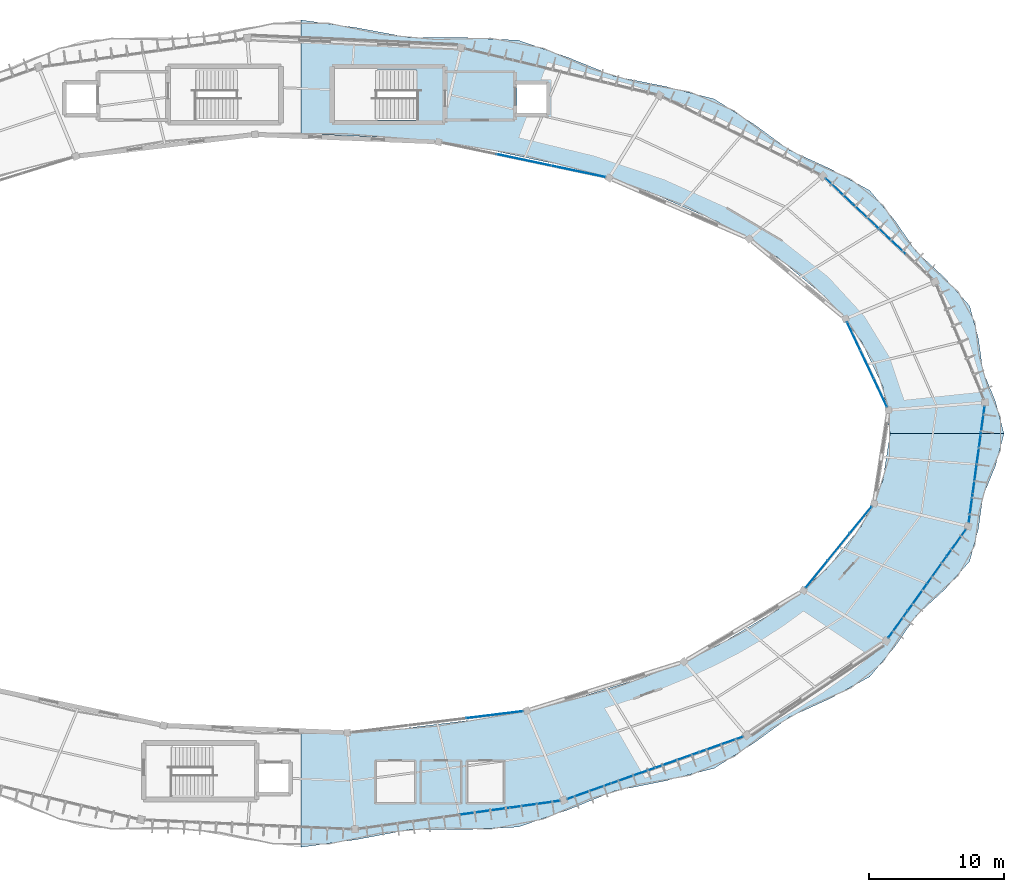
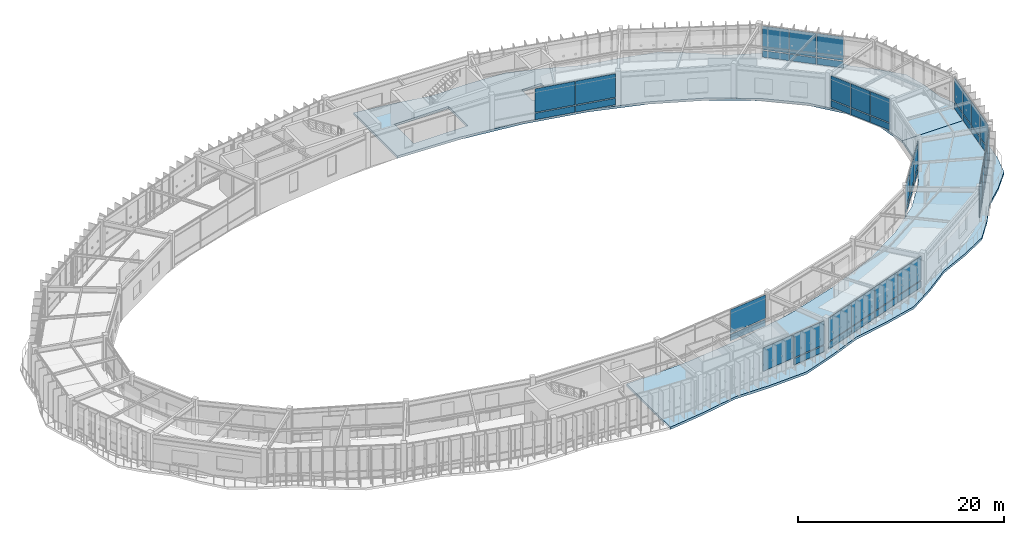
# One storey, part 65 of 79: 51 plates, 2 slabs, 9 elements without a shape of their own.
"""IFC4 building model written with IfcOpenShell, lengths in metres."""

import ifcopenshell
import ifcopenshell.guid

model = None  # the IFC model being written
_history = None  # IfcOwnerHistory: only IFC2X3 demands one
_inside = {}  # id of a spatial element -> (the spatial element, [elements in it])
_under = {}  # id of a project, library or spatial element -> (it, [spatial elements below it])
_declared = {}  # id of a project -> (the project, [libraries it declares])
_typed = {}  # id of a type object -> (the type object, [elements of that type])
_made_of = {}  # id of a material, layer set ... -> (it, [elements and type objects made of it])


def new_model(schema):
    """Start an empty IFC model of exactly this schema.

    Asked for "IFC4X3", IfcOpenShell would pick the latest addendum, in which some entities
    have other attributes; the version numbers below select the first issue.
    IFC2X3 requires an IfcOwnerHistory on every rooted entity: one is made here for all.
    """
    global model, _history
    if schema == "IFC4X3":
        model = ifcopenshell.file(schema_version=(4, 3, 0, 0))
    else:
        model = ifcopenshell.file(schema=schema)
    _inside.clear()
    _under.clear()
    _declared.clear()
    _typed.clear()
    _made_of.clear()
    _history = None
    if model.schema == "IFC2X3":
        org = make("IfcOrganization", Name="unknown")
        user = make(
            "IfcPersonAndOrganization",
            ThePerson=make("IfcPerson", FamilyName="unknown"),
            TheOrganization=org,
        )
        app = make(
            "IfcApplication",
            ApplicationDeveloper=org,
            Version="unknown",
            ApplicationFullName="unknown",
            ApplicationIdentifier="unknown",
        )
        _history = make(
            "IfcOwnerHistory",
            OwningUser=user,
            OwningApplication=app,
            ChangeAction="ADDED",
            CreationDate=0,
        )
    return model


def make(cls, **values):
    """One entity of the class cls with the attributes given. An attribute that is None is left unset."""
    return model.create_entity(
        cls, **{name: value for name, value in values.items() if value is not None}
    )


def rooted(cls, **values):
    """An entity with a GlobalId (a new one), such as an element, a storey or a relation."""
    return make(cls, GlobalId=ifcopenshell.guid.new(), OwnerHistory=_history, **values)


def si_unit(unit_type, name, prefix=None):
    """IfcSIUnit, for example si_unit("LENGTHUNIT", "METRE", prefix="MILLI")."""
    return make("IfcSIUnit", UnitType=unit_type, Prefix=prefix, Name=name)


def assignment(units):
    """IfcUnitAssignment: the units of a project."""
    return None if units is None else make("IfcUnitAssignment", Units=units)


def point(xyz):
    """IfcCartesianPoint."""
    return None if xyz is None else make("IfcCartesianPoint", Coordinates=xyz)


def direction(xyz):
    """IfcDirection."""
    return None if xyz is None else make("IfcDirection", DirectionRatios=xyz)


def frame(location, z_axis=None, x_axis=None):
    """IfcAxis2Placement3D, a coordinate frame: its origin and axes. An axis left out is left unset."""
    return make(
        "IfcAxis2Placement3D",
        Location=point(location),
        Axis=direction(z_axis),
        RefDirection=direction(x_axis),
    )


def frame_2d(location, x_axis=None):
    """IfcAxis2Placement2D, a coordinate frame in the plane: its origin and x axis."""
    return make(
        "IfcAxis2Placement2D", Location=point(location), RefDirection=direction(x_axis)
    )


def origin():
    """The frame at (0, 0, 0) with its axes left unset."""
    return frame((0.0, 0.0, 0.0))


def origin_2d():
    """The frame at (0, 0) in the plane with its x axis left unset."""
    return frame_2d((0.0, 0.0))


def place(relative_to, where):
    """IfcLocalPlacement: puts the frame where relative to a parent placement (None: the world)."""
    return make(
        "IfcLocalPlacement", PlacementRelTo=relative_to, RelativePlacement=where
    )


def context(
    kind, dimensions, precision=None, world=None, true_north=None, identifier=None
):
    """IfcGeometricRepresentationContext, for example the 3D "Model" context."""
    return make(
        "IfcGeometricRepresentationContext",
        ContextIdentifier=identifier,
        ContextType=kind,
        CoordinateSpaceDimension=dimensions,
        Precision=precision,
        WorldCoordinateSystem=world,
        TrueNorth=true_north,
    )


def subcontext(parent, identifier, kind, view, scale=None):
    """IfcGeometricRepresentationSubContext, for example "Body" below "Model"."""
    return make(
        "IfcGeometricRepresentationSubContext",
        ContextIdentifier=identifier,
        ContextType=kind,
        ParentContext=parent,
        TargetScale=scale,
        TargetView=view,
    )


def project(units=None, contexts=None):
    """IfcProject with its units and contexts."""
    return rooted(
        "IfcProject",
        Name="project",
        RepresentationContexts=contexts,
        UnitsInContext=assignment(units),
    )


def spatial(cls, under=None, at=None, **own):
    """A site, building, storey or space (cls), placed at a placement, below another one or the project."""
    s = rooted(cls, ObjectPlacement=at, **own)
    if under is not None:
        _under.setdefault(under.id(), (under, []))[1].append(s)
    return s


def polyline(points):
    """IfcPolyline through the points."""
    return make("IfcPolyline", Points=[point(p) for p in points])


def profile(cls, at=None, kind="AREA", **sizes):
    """A parametric profile (cls). Its sizes go by their IFC names, for example OverallWidth=200.0."""
    return make(cls, ProfileType=kind, Position=at, **sizes)


def rectangle(**sizes):
    """IfcRectangleProfileDef."""
    return profile("IfcRectangleProfileDef", **sizes)


def outline(outer, holes=None, kind="AREA"):
    """IfcArbitraryClosedProfileDef: a profile drawn as a closed curve; with holes, ...WithVoids."""
    if holes is None:
        return make("IfcArbitraryClosedProfileDef", ProfileType=kind, OuterCurve=outer)
    return make(
        "IfcArbitraryProfileDefWithVoids",
        ProfileType=kind,
        OuterCurve=outer,
        InnerCurves=holes,
    )


def extrude(swept, where, along, depth):
    """IfcExtrudedAreaSolid: the profile swept, set in the frame where, extruded along a direction by depth."""
    return make(
        "IfcExtrudedAreaSolid",
        SweptArea=swept,
        Position=where,
        ExtrudedDirection=direction(along),
        Depth=depth,
    )


def shape(context_of_items, identifier, shape_type, items):
    """IfcShapeRepresentation: the items that make up one representation, for example the "Body"."""
    return make(
        "IfcShapeRepresentation",
        ContextOfItems=context_of_items,
        RepresentationIdentifier=identifier,
        RepresentationType=shape_type,
        Items=items,
    )


def material(Name=None, Category=None):
    """IfcMaterial."""
    return make("IfcMaterial", Name=Name, Category=Category)


def layer(
    of_material, thickness, ventilated=None, Name=None, Category=None, Priority=None
):
    """IfcMaterialLayer: one layer of a wall or slab, of a material (None: an air gap)."""
    return make(
        "IfcMaterialLayer",
        Material=of_material,
        LayerThickness=thickness,
        IsVentilated=ventilated,
        Name=Name,
        Category=Category,
        Priority=Priority,
    )


def layer_set(layers, Name=None):
    """IfcMaterialLayerSet."""
    return make("IfcMaterialLayerSet", MaterialLayers=layers, LayerSetName=Name)


def made_of(thing, what):
    """Note that an element or type object is made of a material, layer set ...; save() writes the relation."""
    if what is not None:
        _made_of.setdefault(what.id(), (what, []))[1].append(thing)
    return thing


def type_object(cls, material=None, **own):
    """A type object (cls), such as IfcWallType, which elements share."""
    return made_of(rooted(cls, **own), material)


def element(
    cls,
    number,
    at=None,
    inside=None,
    cuts=None,
    type_object=None,
    material=None,
    context=None,
    identifier="Body",
    shape_type=None,
    held_by="IfcProductDefinitionShape",
    body=None,
    shapes=None,
    **own,
):
    """One element of the class cls, such as IfcWall. Its Tag is "e" and its number.

    at: its placement. inside: the storey or other place that contains it. cuts: it is an
    opening in that element (IfcRelVoidsElement). A single representation is given by context,
    identifier, shape_type and body (its items); several are given by shapes. held_by: the class
    of the entity that holds the representations. save() writes the other relations.
    """
    e = rooted(cls, Tag="e%d" % number, ObjectPlacement=at, **own)
    if body is not None:
        shapes = [shape(context, identifier, shape_type, body)]
    if shapes is not None:
        e.Representation = make(held_by, Representations=shapes)
    if inside is not None:
        _inside.setdefault(inside.id(), (inside, []))[1].append(e)
    if cuts is not None:
        rooted(
            "IfcRelVoidsElement", RelatingBuildingElement=cuts, RelatedOpeningElement=e
        )
    if type_object is not None:
        _typed.setdefault(type_object.id(), (type_object, []))[1].append(e)
    return made_of(e, material)


def aggregate(whole, parts):
    """IfcRelAggregates: a whole, such as a stair, and the parts it consists of."""
    return rooted("IfcRelAggregates", RelatingObject=whole, RelatedObjects=parts)


def save(model, path):
    """Write the relations noted so far, then the file.

    IfcRelAggregates (storeys below a building ...), IfcRelContainedInSpatialStructure (elements
    in a storey), IfcRelDefinesByType, IfcRelAssociatesMaterial and IfcRelDeclares: one each for
    every whole, place, type object, material and project.
    """
    for whole, parts in _under.values():
        aggregate(whole, parts)
    for where, things in _inside.values():
        rooted(
            "IfcRelContainedInSpatialStructure",
            RelatedElements=things,
            RelatingStructure=where,
        )
    for kind, things in _typed.values():
        rooted("IfcRelDefinesByType", RelatedObjects=things, RelatingType=kind)
    for what, things in _made_of.values():
        rooted("IfcRelAssociatesMaterial", RelatedObjects=things, RelatingMaterial=what)
    for by, libraries in _declared.values():
        rooted("IfcRelDeclares", RelatingContext=by, RelatedDefinitions=libraries)
    model.write(path)


model = new_model("IFC4")

# Units and contexts
model_context = context("Model", 3, precision=1e-05, world=origin(), true_north=direction((0.0, 1.0)))
body_context = subcontext(model_context, "Body", "Model", "MODEL_VIEW")
ifc_project = project(units=[si_unit("LENGTHUNIT", "METRE"), si_unit("AREAUNIT", "SQUARE_METRE"), si_unit("VOLUMEUNIT", "CUBIC_METRE"), si_unit("PLANEANGLEUNIT", "RADIAN"), si_unit("MASSUNIT", "GRAM", prefix="KILO"), si_unit("THERMODYNAMICTEMPERATUREUNIT", "KELVIN"), si_unit("POWERUNIT", "WATT")], contexts=[model_context])

# Site, building, storey
site_placement = place(None, origin())
site = spatial("IfcSite", under=ifc_project, at=site_placement, CompositionType="ELEMENT")
building_placement = place(site_placement, origin())
building = spatial("IfcBuilding", under=site, at=building_placement, Name="Darbajah Civic Hall", CompositionType="ELEMENT")
storey_placement = place(building_placement, frame((0.0, 0.0, 22.199951171875)))
storey = spatial("IfcBuildingStorey", under=building, at=storey_placement, Name="L05", CompositionType="ELEMENT", Elevation=22.199951171875)

# Curtain wall, plates
ifc_material_1 = material(Name="Anodised Bronze Aluminium and Low-E Glazing", Category="aluminium")
curtain_wall_type_1 = type_object("IfcCurtainWallType", Name="Unitised Curtain Wall CW-78 7000x3900", PredefinedType="USERDEFINED", material=ifc_material_1)
curtain_wall_1_placement = place(storey_placement, origin())
curtain_wall_1 = element("IfcCurtainWall", 1, at=curtain_wall_1_placement, inside=storey, type_object=curtain_wall_type_1, Name="L05 unitised curtain wall CW-V1I-L05-00", ObjectType="UNITISED CURTAIN WALL", PredefinedType="USERDEFINED")
ifc_material_2 = material(Name="Low-E Solar Control Double Glazing", Category="glass")
ifc_layer_1 = layer(ifc_material_2, 0.028076171875, Name="Low-E Solar Control Double Glazing")
ifc_layer_set_1 = layer_set([ifc_layer_1], Name="Low-E Solar Control Double Glazing")
plate_type_1 = type_object("IfcPlateType", Name="Solar Double Glazing 28mm", PredefinedType="CURTAIN_PANEL", material=ifc_layer_set_1)
plate_1_placement = place(storey_placement, frame((132.16015625, 92.832275390625, 0.1201171875), z_axis=(0.0, 0.0, 1.0), x_axis=(-0.426568739901, 0.904455145454, 0.0)))
plate_1 = element("IfcPlate", 2, at=plate_1_placement, type_object=plate_type_1, Name="CW-V1I-L05-00 glazed panel 1.1", PredefinedType="CURTAIN_PANEL", context=body_context, shape_type="SweptSolid", body=[
    extrude(rectangle(XDim=2.26220703125, YDim=0.028076171875, at=origin_2d()), origin(), (0.0, 0.0, 1.0), 0.77001953125),
])
plate_2_placement = place(storey_placement, frame((132.16015625, 92.832275390625, 1.010009765625), z_axis=(0.0, 0.0, 1.0), x_axis=(-0.426568739901, 0.904455145454, 0.0)))
plate_2 = element("IfcPlate", 3, at=plate_2_placement, type_object=plate_type_1, Name="CW-V1I-L05-00 glazed panel 1.2", PredefinedType="CURTAIN_PANEL", context=body_context, shape_type="SweptSolid", body=[
    extrude(rectangle(XDim=2.26220703125, YDim=0.028076171875, at=origin_2d()), origin(), (0.0, 0.0, 1.0), 2.7900390625),
])
plate_3_placement = place(storey_placement, frame((131.165283203125, 94.941650390625, 0.1201171875), z_axis=(0.0, 0.0, 1.0), x_axis=(-0.426568739901, 0.904455145454, 0.0)))
plate_3 = element("IfcPlate", 4, at=plate_3_placement, type_object=plate_type_1, Name="CW-V1I-L05-00 glazed panel 2.1", PredefinedType="CURTAIN_PANEL", context=body_context, shape_type="SweptSolid", body=[
    extrude(rectangle(XDim=2.26220703125, YDim=0.028076171875, at=origin_2d()), origin(), (0.0, 0.0, 1.0), 0.77001953125),
])
plate_4_placement = place(storey_placement, frame((131.165283203125, 94.941650390625, 1.010009765625), z_axis=(0.0, 0.0, 1.0), x_axis=(-0.426568739901, 0.904455145454, 0.0)))
plate_4 = element("IfcPlate", 5, at=plate_4_placement, type_object=plate_type_1, Name="CW-V1I-L05-00 glazed panel 2.2", PredefinedType="CURTAIN_PANEL", context=body_context, shape_type="SweptSolid", body=[
    extrude(rectangle(XDim=2.26220703125, YDim=0.028076171875, at=origin_2d()), origin(), (0.0, 0.0, 1.0), 2.7900390625),
])
plate_5_placement = place(storey_placement, frame((130.170654296875, 97.05126953125, 0.1201171875), z_axis=(0.0, 0.0, 1.0), x_axis=(-0.426568739901, 0.904455145454, 0.0)))
plate_5 = element("IfcPlate", 6, at=plate_5_placement, type_object=plate_type_1, Name="CW-V1I-L05-00 glazed panel 3.1", PredefinedType="CURTAIN_PANEL", context=body_context, shape_type="SweptSolid", body=[
    extrude(rectangle(XDim=2.26220703125, YDim=0.028076171875, at=origin_2d()), origin(), (0.0, 0.0, 1.0), 0.77001953125),
])
plate_6_placement = place(storey_placement, frame((130.170654296875, 97.05126953125, 1.010009765625), z_axis=(0.0, 0.0, 1.0), x_axis=(-0.426568739901, 0.904455145454, 0.0)))
plate_6 = element("IfcPlate", 7, at=plate_6_placement, type_object=plate_type_1, Name="CW-V1I-L05-00 glazed panel 3.2", PredefinedType="CURTAIN_PANEL", context=body_context, shape_type="SweptSolid", body=[
    extrude(rectangle(XDim=2.26220703125, YDim=0.028076171875, at=origin_2d()), origin(), (0.0, 0.0, 1.0), 2.7900390625),
])
aggregate(curtain_wall_1, [plate_1, plate_2, plate_3, plate_4, plate_5, plate_6])

curtain_wall_type_2 = type_object("IfcCurtainWallType", Name="Unitised Curtain Wall CW-63 10900x3900", PredefinedType="USERDEFINED", material=ifc_material_1)
curtain_wall_2_placement = place(storey_placement, origin())
curtain_wall_2 = element("IfcCurtainWall", 8, at=curtain_wall_2_placement, inside=storey, type_object=curtain_wall_type_2, Name="L05 unitised curtain wall CW-V1O-L05-01", ObjectType="UNITISED CURTAIN WALL", PredefinedType="USERDEFINED")
plate_7_placement = place(storey_placement, frame((133.041015625, 104.087646484375, 0.1201171875), z_axis=(0.0, 0.0, 1.0), x_axis=(-0.727173991201, 0.686453193248, 0.0)))
plate_7 = element("IfcPlate", 9, at=plate_7_placement, type_object=plate_type_1, Name="CW-V1O-L05-01 glazed panel 2.1", PredefinedType="CURTAIN_PANEL", context=body_context, shape_type="SweptSolid", body=[
    extrude(rectangle(XDim=2.65771484375, YDim=0.028076171875, at=origin_2d()), origin(), (0.0, 0.0, 1.0), 0.77001953125),
])
plate_8_placement = place(storey_placement, frame((133.041015625, 104.087646484375, 1.010009765625), z_axis=(0.0, 0.0, 1.0), x_axis=(-0.727173991201, 0.686453193248, 0.0)))
plate_8 = element("IfcPlate", 10, at=plate_8_placement, type_object=plate_type_1, Name="CW-V1O-L05-01 glazed panel 2.2", PredefinedType="CURTAIN_PANEL", context=body_context, shape_type="SweptSolid", body=[
    extrude(rectangle(XDim=2.65771484375, YDim=0.028076171875, at=origin_2d()), origin(), (0.0, 0.0, 1.0), 2.7900390625),
])
plate_9_placement = place(storey_placement, frame((131.0576171875, 105.960205078125, 0.1201171875), z_axis=(0.0, 0.0, 1.0), x_axis=(-0.727173991201, 0.686453193248, 0.0)))
plate_9 = element("IfcPlate", 11, at=plate_9_placement, type_object=plate_type_1, Name="CW-V1O-L05-01 glazed panel 3.1", PredefinedType="CURTAIN_PANEL", context=body_context, shape_type="SweptSolid", body=[
    extrude(rectangle(XDim=2.65771484375, YDim=0.028076171875, at=origin_2d()), origin(), (0.0, 0.0, 1.0), 0.77001953125),
])
plate_10_placement = place(storey_placement, frame((131.0576171875, 105.960205078125, 1.010009765625), z_axis=(0.0, 0.0, 1.0), x_axis=(-0.727173991201, 0.686453193248, 0.0)))
plate_10 = element("IfcPlate", 12, at=plate_10_placement, type_object=plate_type_1, Name="CW-V1O-L05-01 glazed panel 3.2", PredefinedType="CURTAIN_PANEL", context=body_context, shape_type="SweptSolid", body=[
    extrude(rectangle(XDim=2.65771484375, YDim=0.028076171875, at=origin_2d()), origin(), (0.0, 0.0, 1.0), 2.7900390625),
])
plate_11_placement = place(storey_placement, frame((129.073974609375, 107.83251953125, 0.1201171875), z_axis=(0.0, 0.0, 1.0), x_axis=(-0.727173991201, 0.686453193248, 0.0)))
plate_11 = element("IfcPlate", 13, at=plate_11_placement, type_object=plate_type_1, Name="CW-V1O-L05-01 glazed panel 4.1", PredefinedType="CURTAIN_PANEL", context=body_context, shape_type="SweptSolid", body=[
    extrude(rectangle(XDim=2.65771484375, YDim=0.028076171875, at=origin_2d()), origin(), (0.0, 0.0, 1.0), 0.77001953125),
])
plate_12_placement = place(storey_placement, frame((129.073974609375, 107.83251953125, 1.010009765625), z_axis=(0.0, 0.0, 1.0), x_axis=(-0.727173991201, 0.686453193248, 0.0)))
plate_12 = element("IfcPlate", 14, at=plate_12_placement, type_object=plate_type_1, Name="CW-V1O-L05-01 glazed panel 4.2", PredefinedType="CURTAIN_PANEL", context=body_context, shape_type="SweptSolid", body=[
    extrude(rectangle(XDim=2.65771484375, YDim=0.028076171875, at=origin_2d()), origin(), (0.0, 0.0, 1.0), 2.7900390625),
])
aggregate(curtain_wall_2, [plate_7, plate_8, plate_9, plate_10, plate_11, plate_12])

curtain_wall_type_3 = type_object("IfcCurtainWallType", Name="Unitised Curtain Wall CW-65 12400x3900", PredefinedType="USERDEFINED", material=ifc_material_1)
curtain_wall_3_placement = place(storey_placement, origin())
curtain_wall_3 = element("IfcCurtainWall", 15, at=curtain_wall_3_placement, inside=storey, type_object=curtain_wall_type_3, Name="L05 unitised curtain wall CW-V1I-L05-03", ObjectType="UNITISED CURTAIN WALL", PredefinedType="USERDEFINED")
plate_13_placement = place(storey_placement, frame((109.7109375, 109.29345703125, 0.1201171875), z_axis=(0.0, 0.0, 1.0), x_axis=(-0.978472980779, 0.206374964291, 0.0)))
plate_13 = element("IfcPlate", 16, at=plate_13_placement, type_object=plate_type_1, Name="CW-V1I-L05-03 glazed panel 1.1", PredefinedType="CURTAIN_PANEL", context=body_context, shape_type="SweptSolid", body=[
    extrude(rectangle(XDim=4.074951171875, YDim=0.028076171875, at=origin_2d()), origin(), (0.0, 0.0, 1.0), 0.77001953125),
])
plate_14_placement = place(storey_placement, frame((109.7109375, 109.29345703125, 1.010009765625), z_axis=(0.0, 0.0, 1.0), x_axis=(-0.978472980779, 0.206374964291, 0.0)))
plate_14 = element("IfcPlate", 17, at=plate_14_placement, type_object=plate_type_1, Name="CW-V1I-L05-03 glazed panel 1.2", PredefinedType="CURTAIN_PANEL", context=body_context, shape_type="SweptSolid", body=[
    extrude(rectangle(XDim=4.074951171875, YDim=0.028076171875, at=origin_2d()), origin(), (0.0, 0.0, 1.0), 2.7900390625),
])
plate_15_placement = place(storey_placement, frame((105.655029296875, 110.148681640625, 0.1201171875), z_axis=(0.0, 0.0, 1.0), x_axis=(-0.978472980779, 0.206374964291, 0.0)))
plate_15 = element("IfcPlate", 18, at=plate_15_placement, type_object=plate_type_1, Name="CW-V1I-L05-03 glazed panel 2.1", PredefinedType="CURTAIN_PANEL", context=body_context, shape_type="SweptSolid", body=[
    extrude(rectangle(XDim=4.074951171875, YDim=0.028076171875, at=origin_2d()), origin(), (0.0, 0.0, 1.0), 0.77001953125),
])
plate_16_placement = place(storey_placement, frame((105.655029296875, 110.148681640625, 1.010009765625), z_axis=(0.0, 0.0, 1.0), x_axis=(-0.978472980779, 0.206374964291, 0.0)))
plate_16 = element("IfcPlate", 19, at=plate_16_placement, type_object=plate_type_1, Name="CW-V1I-L05-03 glazed panel 2.2", PredefinedType="CURTAIN_PANEL", context=body_context, shape_type="SweptSolid", body=[
    extrude(rectangle(XDim=4.074951171875, YDim=0.028076171875, at=origin_2d()), origin(), (0.0, 0.0, 1.0), 2.7900390625),
])
aggregate(curtain_wall_3, [plate_13, plate_14, plate_15, plate_16])

curtain_wall_type_4 = type_object("IfcCurtainWallType", Name="Unitised Curtain Wall CW-73 12900x3900", PredefinedType="USERDEFINED", material=ifc_material_1)
curtain_wall_4_placement = place(storey_placement, origin())
curtain_wall_4 = element("IfcCurtainWall", 20, at=curtain_wall_4_placement, inside=storey, type_object=curtain_wall_type_4, Name="L05 unitised curtain wall CW-V1I-L05-15", ObjectType="UNITISED CURTAIN WALL", PredefinedType="USERDEFINED")
plate_17_placement = place(storey_placement, frame((103.47412109375, 68.90576171875, 0.1201171875), z_axis=(0.0, 0.0, 1.0), x_axis=(0.992609826221, 0.121349630774, 0.0)))
plate_17 = element("IfcPlate", 21, at=plate_17_placement, type_object=plate_type_1, Name="CW-V1I-L05-15 glazed panel 3.1", PredefinedType="CURTAIN_PANEL", context=body_context, shape_type="SweptSolid", body=[
    extrude(rectangle(XDim=4.23681640625, YDim=0.028076171875, at=origin_2d()), origin(), (0.0, 0.0, 1.0), 0.77001953125),
])
plate_18_placement = place(storey_placement, frame((103.47412109375, 68.90576171875, 1.010009765625), z_axis=(0.0, 0.0, 1.0), x_axis=(0.992609826221, 0.121349630774, 0.0)))
plate_18 = element("IfcPlate", 22, at=plate_18_placement, type_object=plate_type_1, Name="CW-V1I-L05-15 glazed panel 3.2", PredefinedType="CURTAIN_PANEL", context=body_context, shape_type="SweptSolid", body=[
    extrude(rectangle(XDim=4.23681640625, YDim=0.028076171875, at=origin_2d()), origin(), (0.0, 0.0, 1.0), 2.7900390625),
])
aggregate(curtain_wall_4, [plate_17, plate_18])

curtain_wall_type_5 = type_object("IfcCurtainWallType", Name="Unitised Curtain Wall CW-85 13900x3900", PredefinedType="USERDEFINED", material=ifc_material_1)
curtain_wall_5_placement = place(storey_placement, origin())
curtain_wall_5 = element("IfcCurtainWall", 23, at=curtain_wall_5_placement, inside=storey, type_object=curtain_wall_type_5, Name="L05 unitised curtain wall CW-V1O-L05-16", ObjectType="UNITISED CURTAIN WALL", PredefinedType="USERDEFINED")
plate_19_placement = place(storey_placement, frame((110.513427734375, 63.2177734375, 0.1201171875), z_axis=(0.0, 0.0, 1.0), x_axis=(0.94252491309, 0.334135882844, 0.0)))
plate_19 = element("IfcPlate", 24, at=plate_19_placement, type_object=plate_type_1, Name="CW-V1O-L05-16 glazed panel 1.1", PredefinedType="CURTAIN_PANEL", context=body_context, shape_type="SweptSolid", body=[
    extrude(rectangle(XDim=3.400146484375, YDim=0.028076171875, at=origin_2d()), origin(), (0.0, 0.0, 1.0), 0.77001953125),
])
plate_20_placement = place(storey_placement, frame((110.513427734375, 63.2177734375, 1.010009765625), z_axis=(0.0, 0.0, 1.0), x_axis=(0.94252491309, 0.334135882844, 0.0)))
plate_20 = element("IfcPlate", 25, at=plate_20_placement, type_object=plate_type_1, Name="CW-V1O-L05-16 glazed panel 1.2", PredefinedType="CURTAIN_PANEL", context=body_context, shape_type="SweptSolid", body=[
    extrude(rectangle(XDim=3.400146484375, YDim=0.028076171875, at=origin_2d()), origin(), (0.0, 0.0, 1.0), 2.7900390625),
])
plate_21_placement = place(storey_placement, frame((113.7841796875, 64.377197265625, 0.1201171875), z_axis=(0.0, 0.0, 1.0), x_axis=(0.94252491309, 0.334135882844, 0.0)))
plate_21 = element("IfcPlate", 26, at=plate_21_placement, type_object=plate_type_1, Name="CW-V1O-L05-16 glazed panel 2.1", PredefinedType="CURTAIN_PANEL", context=body_context, shape_type="SweptSolid", body=[
    extrude(rectangle(XDim=3.400146484375, YDim=0.028076171875, at=origin_2d()), origin(), (0.0, 0.0, 1.0), 0.77001953125),
])
plate_22_placement = place(storey_placement, frame((113.7841796875, 64.377197265625, 1.010009765625), z_axis=(0.0, 0.0, 1.0), x_axis=(0.94252491309, 0.334135882844, 0.0)))
plate_22 = element("IfcPlate", 27, at=plate_22_placement, type_object=plate_type_1, Name="CW-V1O-L05-16 glazed panel 2.2", PredefinedType="CURTAIN_PANEL", context=body_context, shape_type="SweptSolid", body=[
    extrude(rectangle(XDim=3.400146484375, YDim=0.028076171875, at=origin_2d()), origin(), (0.0, 0.0, 1.0), 2.7900390625),
])
plate_23_placement = place(storey_placement, frame((117.0546875, 65.53662109375, 0.1201171875), z_axis=(0.0, 0.0, 1.0), x_axis=(0.94252491309, 0.334135882844, 0.0)))
plate_23 = element("IfcPlate", 28, at=plate_23_placement, type_object=plate_type_1, Name="CW-V1O-L05-16 glazed panel 3.1", PredefinedType="CURTAIN_PANEL", context=body_context, shape_type="SweptSolid", body=[
    extrude(rectangle(XDim=3.400146484375, YDim=0.028076171875, at=origin_2d()), origin(), (0.0, 0.0, 1.0), 0.77001953125),
])
plate_24_placement = place(storey_placement, frame((117.0546875, 65.53662109375, 1.010009765625), z_axis=(0.0, 0.0, 1.0), x_axis=(0.94252491309, 0.334135882844, 0.0)))
plate_24 = element("IfcPlate", 29, at=plate_24_placement, type_object=plate_type_1, Name="CW-V1O-L05-16 glazed panel 3.2", PredefinedType="CURTAIN_PANEL", context=body_context, shape_type="SweptSolid", body=[
    extrude(rectangle(XDim=3.400146484375, YDim=0.028076171875, at=origin_2d()), origin(), (0.0, 0.0, 1.0), 2.7900390625),
])
plate_25_placement = place(storey_placement, frame((120.325439453125, 66.69580078125, 0.1201171875), z_axis=(0.0, 0.0, 1.0), x_axis=(0.94252491309, 0.334135882844, 0.0)))
plate_25 = element("IfcPlate", 30, at=plate_25_placement, type_object=plate_type_1, Name="CW-V1O-L05-16 glazed panel 4.1", PredefinedType="CURTAIN_PANEL", context=body_context, shape_type="SweptSolid", body=[
    extrude(rectangle(XDim=3.400146484375, YDim=0.028076171875, at=origin_2d()), origin(), (0.0, 0.0, 1.0), 0.77001953125),
])
plate_26_placement = place(storey_placement, frame((120.325439453125, 66.69580078125, 1.010009765625), z_axis=(0.0, 0.0, 1.0), x_axis=(0.94252491309, 0.334135882844, 0.0)))
plate_26 = element("IfcPlate", 31, at=plate_26_placement, type_object=plate_type_1, Name="CW-V1O-L05-16 glazed panel 4.2", PredefinedType="CURTAIN_PANEL", context=body_context, shape_type="SweptSolid", body=[
    extrude(rectangle(XDim=3.400146484375, YDim=0.028076171875, at=origin_2d()), origin(), (0.0, 0.0, 1.0), 2.7900390625),
])
aggregate(curtain_wall_5, [plate_19, plate_20, plate_21, plate_22, plate_23, plate_24, plate_25, plate_26])

curtain_wall_type_6 = type_object("IfcCurtainWallType", Name="Unitised Curtain Wall CW-75 7800x3900", PredefinedType="USERDEFINED", material=ifc_material_1)
curtain_wall_6_placement = place(storey_placement, origin())
curtain_wall_6 = element("IfcCurtainWall", 32, at=curtain_wall_6_placement, inside=storey, type_object=curtain_wall_type_6, Name="L05 unitised curtain wall CW-V1I-L05-18", ObjectType="UNITISED CURTAIN WALL", PredefinedType="USERDEFINED")
plate_27_placement = place(storey_placement, frame((127.42578125, 79.352783203125, 0.1201171875), z_axis=(0.0, 0.0, 1.0), x_axis=(0.63108205791, 0.775716079622, 0.0)))
plate_27 = element("IfcPlate", 33, at=plate_27_placement, type_object=plate_type_1, Name="CW-V1I-L05-18 glazed panel 1.1", PredefinedType="CURTAIN_PANEL", context=body_context, shape_type="SweptSolid", body=[
    extrude(rectangle(XDim=2.531982421875, YDim=0.028076171875, at=origin_2d()), origin(), (0.0, 0.0, 1.0), 0.77001953125),
])
plate_28_placement = place(storey_placement, frame((127.42578125, 79.352783203125, 1.010009765625), z_axis=(0.0, 0.0, 1.0), x_axis=(0.63108205791, 0.775716079622, 0.0)))
plate_28 = element("IfcPlate", 34, at=plate_28_placement, type_object=plate_type_1, Name="CW-V1I-L05-18 glazed panel 1.2", PredefinedType="CURTAIN_PANEL", context=body_context, shape_type="SweptSolid", body=[
    extrude(rectangle(XDim=2.531982421875, YDim=0.028076171875, at=origin_2d()), origin(), (0.0, 0.0, 1.0), 2.7900390625),
])
plate_29_placement = place(storey_placement, frame((129.067626953125, 81.371337890625, 0.1201171875), z_axis=(0.0, 0.0, 1.0), x_axis=(0.63108205791, 0.775716079622, 0.0)))
plate_29 = element("IfcPlate", 35, at=plate_29_placement, type_object=plate_type_1, Name="CW-V1I-L05-18 glazed panel 2.1", PredefinedType="CURTAIN_PANEL", context=body_context, shape_type="SweptSolid", body=[
    extrude(rectangle(XDim=2.531982421875, YDim=0.028076171875, at=origin_2d()), origin(), (0.0, 0.0, 1.0), 0.77001953125),
])
plate_30_placement = place(storey_placement, frame((129.067626953125, 81.371337890625, 1.010009765625), z_axis=(0.0, 0.0, 1.0), x_axis=(0.63108205791, 0.775716079622, 0.0)))
plate_30 = element("IfcPlate", 36, at=plate_30_placement, type_object=plate_type_1, Name="CW-V1I-L05-18 glazed panel 2.2", PredefinedType="CURTAIN_PANEL", context=body_context, shape_type="SweptSolid", body=[
    extrude(rectangle(XDim=2.531982421875, YDim=0.028076171875, at=origin_2d()), origin(), (0.0, 0.0, 1.0), 2.7900390625),
])
plate_31_placement = place(storey_placement, frame((130.709716796875, 83.389404296875, 0.1201171875), z_axis=(0.0, 0.0, 1.0), x_axis=(0.63108205791, 0.775716079622, 0.0)))
plate_31 = element("IfcPlate", 37, at=plate_31_placement, type_object=plate_type_1, Name="CW-V1I-L05-18 glazed panel 3.1", PredefinedType="CURTAIN_PANEL", context=body_context, shape_type="SweptSolid", body=[
    extrude(rectangle(XDim=2.531982421875, YDim=0.028076171875, at=origin_2d()), origin(), (0.0, 0.0, 1.0), 0.77001953125),
])
plate_32_placement = place(storey_placement, frame((130.709716796875, 83.389404296875, 1.010009765625), z_axis=(0.0, 0.0, 1.0), x_axis=(0.63108205791, 0.775716079622, 0.0)))
plate_32 = element("IfcPlate", 38, at=plate_32_placement, type_object=plate_type_1, Name="CW-V1I-L05-18 glazed panel 3.2", PredefinedType="CURTAIN_PANEL", context=body_context, shape_type="SweptSolid", body=[
    extrude(rectangle(XDim=2.531982421875, YDim=0.028076171875, at=origin_2d()), origin(), (0.0, 0.0, 1.0), 2.7900390625),
])
aggregate(curtain_wall_6, [plate_27, plate_28, plate_29, plate_30, plate_31, plate_32])

curtain_wall_type_7 = type_object("IfcCurtainWallType", Name="Unitised Curtain Wall CW-76 8700x3900", PredefinedType="USERDEFINED", material=ifc_material_1)
curtain_wall_7_placement = place(storey_placement, origin())
curtain_wall_7 = element("IfcCurtainWall", 39, at=curtain_wall_7_placement, inside=storey, type_object=curtain_wall_type_7, Name="L05 unitised curtain wall CW-V1O-L05-19", ObjectType="UNITISED CURTAIN WALL", PredefinedType="USERDEFINED")
plate_33_placement = place(storey_placement, frame((138.875244140625, 84.269287109375, 0.1201171875), z_axis=(0.0, 0.0, 1.0), x_axis=(0.134850930274, 0.990865897387, 0.0)))
plate_33 = element("IfcPlate", 40, at=plate_33_placement, type_object=plate_type_1, Name="CW-V1O-L05-19 glazed panel 1.1", PredefinedType="CURTAIN_PANEL", context=body_context, shape_type="SweptSolid", body=[
    extrude(rectangle(XDim=2.113037109375, YDim=0.028076171875, at=origin_2d()), origin(), (0.0, 0.0, 1.0), 0.77001953125),
])
plate_34_placement = place(storey_placement, frame((138.875244140625, 84.269287109375, 1.010009765625), z_axis=(0.0, 0.0, 1.0), x_axis=(0.134850930274, 0.990865897387, 0.0)))
plate_34 = element("IfcPlate", 41, at=plate_34_placement, type_object=plate_type_1, Name="CW-V1O-L05-19 glazed panel 1.2", PredefinedType="CURTAIN_PANEL", context=body_context, shape_type="SweptSolid", body=[
    extrude(rectangle(XDim=2.113037109375, YDim=0.028076171875, at=origin_2d()), origin(), (0.0, 0.0, 1.0), 2.7900390625),
])
plate_35_placement = place(storey_placement, frame((139.169677734375, 86.432373046875, 0.1201171875), z_axis=(0.0, 0.0, 1.0), x_axis=(0.134850930274, 0.990865897387, 0.0)))
plate_35 = element("IfcPlate", 42, at=plate_35_placement, type_object=plate_type_1, Name="CW-V1O-L05-19 glazed panel 2.1", PredefinedType="CURTAIN_PANEL", context=body_context, shape_type="SweptSolid", body=[
    extrude(rectangle(XDim=2.113037109375, YDim=0.028076171875, at=origin_2d()), origin(), (0.0, 0.0, 1.0), 0.77001953125),
])
plate_36_placement = place(storey_placement, frame((139.169677734375, 86.432373046875, 1.010009765625), z_axis=(0.0, 0.0, 1.0), x_axis=(0.134850930274, 0.990865897387, 0.0)))
plate_36 = element("IfcPlate", 43, at=plate_36_placement, type_object=plate_type_1, Name="CW-V1O-L05-19 glazed panel 2.2", PredefinedType="CURTAIN_PANEL", context=body_context, shape_type="SweptSolid", body=[
    extrude(rectangle(XDim=2.113037109375, YDim=0.028076171875, at=origin_2d()), origin(), (0.0, 0.0, 1.0), 2.7900390625),
])
plate_37_placement = place(storey_placement, frame((139.464111328125, 88.595458984375, 0.1201171875), z_axis=(0.0, 0.0, 1.0), x_axis=(0.134850930274, 0.990865897387, 0.0)))
plate_37 = element("IfcPlate", 44, at=plate_37_placement, type_object=plate_type_1, Name="CW-V1O-L05-19 glazed panel 3.1", PredefinedType="CURTAIN_PANEL", context=body_context, shape_type="SweptSolid", body=[
    extrude(rectangle(XDim=2.113037109375, YDim=0.028076171875, at=origin_2d()), origin(), (0.0, 0.0, 1.0), 0.77001953125),
])
plate_38_placement = place(storey_placement, frame((139.464111328125, 88.595458984375, 1.010009765625), z_axis=(0.0, 0.0, 1.0), x_axis=(0.134850930274, 0.990865897387, 0.0)))
plate_38 = element("IfcPlate", 45, at=plate_38_placement, type_object=plate_type_1, Name="CW-V1O-L05-19 glazed panel 3.2", PredefinedType="CURTAIN_PANEL", context=body_context, shape_type="SweptSolid", body=[
    extrude(rectangle(XDim=2.113037109375, YDim=0.028076171875, at=origin_2d()), origin(), (0.0, 0.0, 1.0), 2.7900390625),
])
plate_39_placement = place(storey_placement, frame((139.75830078125, 90.758544921875, 0.1201171875), z_axis=(0.0, 0.0, 1.0), x_axis=(0.134850930274, 0.990865897387, 0.0)))
plate_39 = element("IfcPlate", 46, at=plate_39_placement, type_object=plate_type_1, Name="CW-V1O-L05-19 glazed panel 4.1", PredefinedType="CURTAIN_PANEL", context=body_context, shape_type="SweptSolid", body=[
    extrude(rectangle(XDim=2.113037109375, YDim=0.028076171875, at=origin_2d()), origin(), (0.0, 0.0, 1.0), 0.77001953125),
])
plate_40_placement = place(storey_placement, frame((139.75830078125, 90.758544921875, 1.010009765625), z_axis=(0.0, 0.0, 1.0), x_axis=(0.134850930274, 0.990865897387, 0.0)))
plate_40 = element("IfcPlate", 47, at=plate_40_placement, type_object=plate_type_1, Name="CW-V1O-L05-19 glazed panel 4.2", PredefinedType="CURTAIN_PANEL", context=body_context, shape_type="SweptSolid", body=[
    extrude(rectangle(XDim=2.113037109375, YDim=0.028076171875, at=origin_2d()), origin(), (0.0, 0.0, 1.0), 2.7900390625),
])
aggregate(curtain_wall_7, [plate_33, plate_34, plate_35, plate_36, plate_37, plate_38, plate_39, plate_40])

curtain_wall_type_8 = type_object("IfcCurtainWallType", Name="Unitised Curtain Wall CW-72 15100x3900", PredefinedType="USERDEFINED", material=ifc_material_1)
curtain_wall_8_placement = place(storey_placement, origin())
curtain_wall_8 = element("IfcCurtainWall", 48, at=curtain_wall_8_placement, inside=storey, type_object=curtain_wall_type_8, Name="L05 unitised curtain wall CW-V1O-L05-15", ObjectType="UNITISED CURTAIN WALL", PredefinedType="USERDEFINED")
ifc_layer_2 = layer(ifc_material_2, 0.031982421875, Name="Low-E Solar Control Double Glazing")
ifc_layer_set_2 = layer_set([ifc_layer_2], Name="Low-E Solar Control Double Glazing")
plate_type_2 = type_object("IfcPlateType", Name="Solar Double Glazing 32mm", PredefinedType="CURTAIN_PANEL", material=ifc_layer_set_2)
plate_41_placement = place(storey_placement, frame((102.72998046875, 61.72802734375, 1.02001953125), z_axis=(0.0, 0.0, 1.0), x_axis=(0.990485459553, 0.137617420457, 0.0)))
plate_41 = element("IfcPlate", 49, at=plate_41_placement, type_object=plate_type_2, Name="CW-V1O-L05-15 glazed panel 3.2", PredefinedType="CURTAIN_PANEL", context=body_context, shape_type="SweptSolid", body=[
    extrude(rectangle(XDim=3.70263671875, YDim=0.031982421875, at=origin_2d()), origin(), (0.0, 0.0, 1.0), 2.760009765625),
])
plate_42_placement = place(storey_placement, frame((106.4716796875, 62.247802734375, 0.14013671875), z_axis=(0.0, 0.0, 1.0), x_axis=(0.990485459553, 0.137617420457, 0.0)))
plate_42 = element("IfcPlate", 50, at=plate_42_placement, type_object=plate_type_2, Name="CW-V1O-L05-15 glazed panel 4.1", PredefinedType="CURTAIN_PANEL", context=body_context, shape_type="SweptSolid", body=[
    extrude(rectangle(XDim=3.70263671875, YDim=0.031982421875, at=origin_2d()), origin(), (0.0, 0.0, 1.0), 0.739990234375),
])
plate_43_placement = place(storey_placement, frame((106.4716796875, 62.247802734375, 1.02001953125), z_axis=(0.0, 0.0, 1.0), x_axis=(0.990485459553, 0.137617420457, 0.0)))
plate_43 = element("IfcPlate", 51, at=plate_43_placement, type_object=plate_type_2, Name="CW-V1O-L05-15 glazed panel 4.2", PredefinedType="CURTAIN_PANEL", context=body_context, shape_type="SweptSolid", body=[
    extrude(rectangle(XDim=3.70263671875, YDim=0.031982421875, at=origin_2d()), origin(), (0.0, 0.0, 1.0), 2.760009765625),
])
aggregate(curtain_wall_8, [plate_41, plate_42, plate_43])

curtain_wall_type_9 = type_object("IfcCurtainWallType", Name="Unitised Curtain Wall CW-74 9900x3900", PredefinedType="USERDEFINED", material=ifc_material_1)
curtain_wall_9_placement = place(storey_placement, origin())
curtain_wall_9 = element("IfcCurtainWall", 52, at=curtain_wall_9_placement, inside=storey, type_object=curtain_wall_type_9, Name="L05 unitised curtain wall CW-V1O-L05-18", ObjectType="UNITISED CURTAIN WALL", PredefinedType="USERDEFINED")
plate_44_placement = place(storey_placement, frame((133.46875, 75.62109375, 0.14013671875), z_axis=(0.0, 0.0, 1.0), x_axis=(0.582264874145, 0.812999149039, 0.0)))
plate_44 = element("IfcPlate", 53, at=plate_44_placement, type_object=plate_type_2, Name="CW-V1O-L05-18 glazed panel 1.1", PredefinedType="CURTAIN_PANEL", context=body_context, shape_type="SweptSolid", body=[
    extrude(rectangle(XDim=2.408447265625, YDim=0.031982421875, at=origin_2d()), origin(), (0.0, 0.0, 1.0), 0.739990234375),
])
plate_45_placement = place(storey_placement, frame((133.46875, 75.62109375, 1.02001953125), z_axis=(0.0, 0.0, 1.0), x_axis=(0.582264874145, 0.812999149039, 0.0)))
plate_45 = element("IfcPlate", 54, at=plate_45_placement, type_object=plate_type_2, Name="CW-V1O-L05-18 glazed panel 1.2", PredefinedType="CURTAIN_PANEL", context=body_context, shape_type="SweptSolid", body=[
    extrude(rectangle(XDim=2.408447265625, YDim=0.031982421875, at=origin_2d()), origin(), (0.0, 0.0, 1.0), 2.760009765625),
])
plate_46_placement = place(storey_placement, frame((134.914794921875, 77.640380859375, 0.14013671875), z_axis=(0.0, 0.0, 1.0), x_axis=(0.582264874145, 0.812999149039, 0.0)))
plate_46 = element("IfcPlate", 55, at=plate_46_placement, type_object=plate_type_2, Name="CW-V1O-L05-18 glazed panel 2.1", PredefinedType="CURTAIN_PANEL", context=body_context, shape_type="SweptSolid", body=[
    extrude(rectangle(XDim=2.408447265625, YDim=0.031982421875, at=origin_2d()), origin(), (0.0, 0.0, 1.0), 0.739990234375),
])
plate_47_placement = place(storey_placement, frame((134.914794921875, 77.640380859375, 1.02001953125), z_axis=(0.0, 0.0, 1.0), x_axis=(0.582264874145, 0.812999149039, 0.0)))
plate_47 = element("IfcPlate", 56, at=plate_47_placement, type_object=plate_type_2, Name="CW-V1O-L05-18 glazed panel 2.2", PredefinedType="CURTAIN_PANEL", context=body_context, shape_type="SweptSolid", body=[
    extrude(rectangle(XDim=2.408447265625, YDim=0.031982421875, at=origin_2d()), origin(), (0.0, 0.0, 1.0), 2.760009765625),
])
plate_48_placement = place(storey_placement, frame((136.360595703125, 79.659423828125, 0.14013671875), z_axis=(0.0, 0.0, 1.0), x_axis=(0.582264874145, 0.812999149039, 0.0)))
plate_48 = element("IfcPlate", 57, at=plate_48_placement, type_object=plate_type_2, Name="CW-V1O-L05-18 glazed panel 3.1", PredefinedType="CURTAIN_PANEL", context=body_context, shape_type="SweptSolid", body=[
    extrude(rectangle(XDim=2.408447265625, YDim=0.031982421875, at=origin_2d()), origin(), (0.0, 0.0, 1.0), 0.739990234375),
])
plate_49_placement = place(storey_placement, frame((136.360595703125, 79.659423828125, 1.02001953125), z_axis=(0.0, 0.0, 1.0), x_axis=(0.582264874145, 0.812999149039, 0.0)))
plate_49 = element("IfcPlate", 58, at=plate_49_placement, type_object=plate_type_2, Name="CW-V1O-L05-18 glazed panel 3.2", PredefinedType="CURTAIN_PANEL", context=body_context, shape_type="SweptSolid", body=[
    extrude(rectangle(XDim=2.408447265625, YDim=0.031982421875, at=origin_2d()), origin(), (0.0, 0.0, 1.0), 2.760009765625),
])
plate_50_placement = place(storey_placement, frame((137.806640625, 81.6787109375, 0.14013671875), z_axis=(0.0, 0.0, 1.0), x_axis=(0.582264874145, 0.812999149039, 0.0)))
plate_50 = element("IfcPlate", 59, at=plate_50_placement, type_object=plate_type_2, Name="CW-V1O-L05-18 glazed panel 4.1", PredefinedType="CURTAIN_PANEL", context=body_context, shape_type="SweptSolid", body=[
    extrude(rectangle(XDim=2.408447265625, YDim=0.031982421875, at=origin_2d()), origin(), (0.0, 0.0, 1.0), 0.739990234375),
])
plate_51_placement = place(storey_placement, frame((137.806640625, 81.6787109375, 1.02001953125), z_axis=(0.0, 0.0, 1.0), x_axis=(0.582264874145, 0.812999149039, 0.0)))
plate_51 = element("IfcPlate", 60, at=plate_51_placement, type_object=plate_type_2, Name="CW-V1O-L05-18 glazed panel 4.2", PredefinedType="CURTAIN_PANEL", context=body_context, shape_type="SweptSolid", body=[
    extrude(rectangle(XDim=2.408447265625, YDim=0.031982421875, at=origin_2d()), origin(), (0.0, 0.0, 1.0), 2.760009765625),
])
aggregate(curtain_wall_9, [plate_44, plate_45, plate_46, plate_47, plate_48, plate_49, plate_50, plate_51])

# Slabs
ifc_material_3 = material(Name="Concrete C45/55", Category="concrete")
ifc_layer_3 = layer(ifc_material_3, 0.280029296875, Name="Concrete C45/55")
ifc_layer_set_3 = layer_set([ifc_layer_3], Name="Concrete C45/55")
slab_type = type_object("IfcSlabType", Name="Structural Floor Slab 280mm", PredefinedType="FLOOR", material=ifc_layer_set_3)
slab_1_placement = place(storey_placement, frame((0.0, 0.0, -0.280029296875)))
element("IfcSlab", 61, at=slab_1_placement, inside=storey, type_object=slab_type, Name="L05 Oval Administration Ring NE floor slab", PredefinedType="FLOOR", context=body_context, shape_type="SweptSolid", body=[
    extrude(outline(polyline([(141.347900390625, 89.800048828125), (140.720458984375, 92.17578125), (139.7802734375, 94.463623046875), (139.44921875, 96.86865234375), (138.790771484375, 99.3017578125), (136.9384765625, 101.3876953125), (134.8193359375, 103.33447265625), (133.249755859375, 105.621337890625), (131.369384765625, 107.873291015625), (128.473876953125, 109.46533203125), (125.383056640625, 110.88037109375), (122.728515625, 112.8251953125), (119.810546875, 114.67578125), (116.155029296875, 115.617919921875), (112.395263671875, 116.36279296875), (108.915283203125, 117.775146484375), (105.24560546875, 119.043212890625), (101.187744140625, 119.243408203125), (97.126953125, 119.2451171875), (93.16259765625, 119.98681640625), (89.10009765625, 120.548095703125), (89.10009765625, 112.080078125), (95.94873046875, 111.8056640625), (102.62890625, 110.989501953125), (108.9755859375, 109.651611328125), (114.833251953125, 107.824951171875), (120.05712890625, 105.55419921875), (124.518798828125, 102.89599609375), (128.1083984375, 99.914794921875), (130.7373046875, 96.684814453125), (132.341064453125, 93.285400390625), (132.8798828125, 89.800048828125), (141.347900390625, 89.800048828125)]), holes=[polyline([(91.5400390625, 116.8798828125), (97.6201171875, 116.8798828125), (97.6201171875, 113.1201171875), (91.5400390625, 113.1201171875), (91.5400390625, 116.8798828125)]), polyline([(105.14990234375, 115.75), (107.35009765625, 115.75), (107.35009765625, 113.64990234375), (105.14990234375, 113.64990234375), (105.14990234375, 115.75)])]), origin(), (0.0, 0.0, 1.0), 0.280029296875),
])
slab_2_placement = place(storey_placement, frame((0.0, 0.0, -0.280029296875)))
element("IfcSlab", 62, at=slab_2_placement, inside=storey, type_object=slab_type, Name="L05 Oval Administration Ring SE floor slab", PredefinedType="FLOOR", context=body_context, shape_type="SweptSolid", body=[
    extrude(outline(polyline([(89.10009765625, 59.052001953125), (93.16259765625, 59.61328125), (97.126953125, 60.35498046875), (101.187744140625, 60.356689453125), (105.24560546875, 60.556884765625), (108.915283203125, 61.824951171875), (112.395263671875, 63.2373046875), (116.155029296875, 63.982177734375), (119.810546875, 64.92431640625), (122.728515625, 66.77490234375), (125.383056640625, 68.7197265625), (128.473876953125, 70.134765625), (131.369384765625, 71.726806640625), (133.249755859375, 73.978759765625), (134.8193359375, 76.265625), (136.9384765625, 78.21240234375), (138.790771484375, 80.29833984375), (139.44921875, 82.731201171875), (139.7802734375, 85.136474609375), (140.720458984375, 87.42431640625), (141.347900390625, 89.800048828125), (132.8798828125, 89.800048828125), (132.341064453125, 86.314697265625), (130.7373046875, 82.9150390625), (128.1083984375, 79.68505859375), (124.518798828125, 76.7041015625), (120.05712890625, 74.045654296875), (114.833251953125, 71.775146484375), (108.9755859375, 69.948486328125), (102.62890625, 68.610595703125), (95.94873046875, 67.794189453125), (89.10009765625, 67.52001953125), (89.10009765625, 59.052001953125)])), origin(), (0.0, 0.0, 1.0), 0.280029296875),
])

save(model, "model.ifc")
